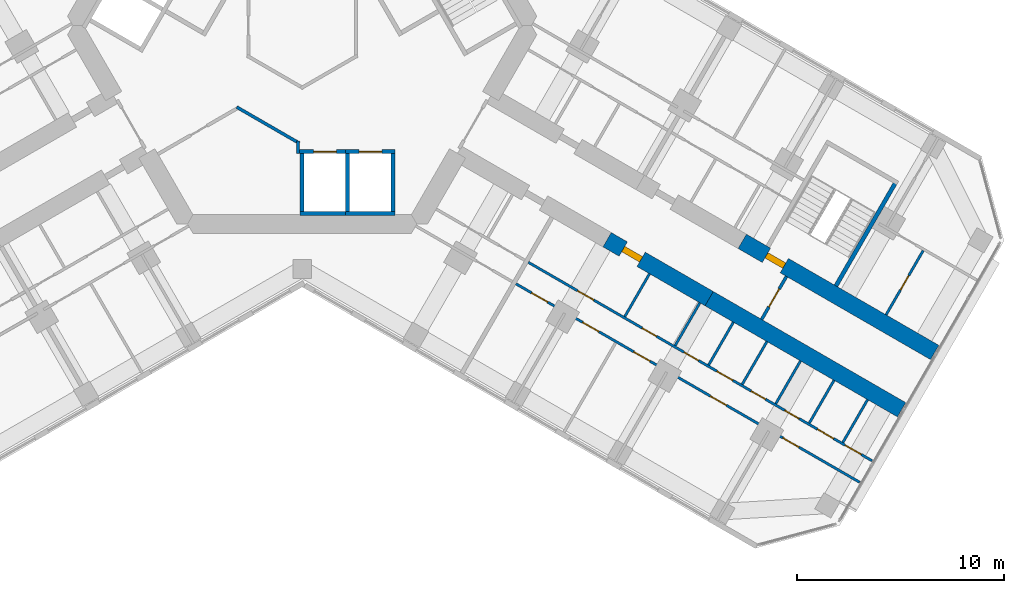
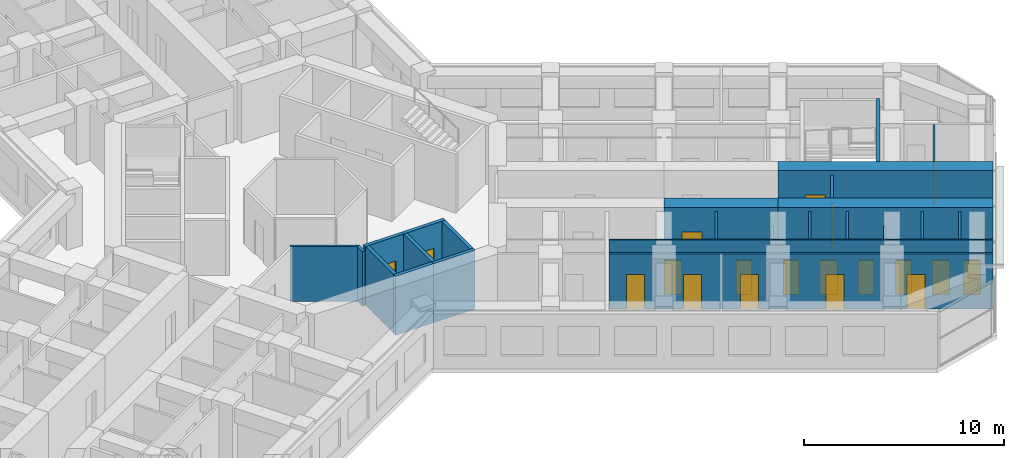
# One storey, part 14 of 19: 24 walls, 19 doors, 19 openings.
"""IFC4 building model written with IfcOpenShell, lengths in metres."""

from ifc_helpers import new_model, si_unit, direction, frame, frame_2d, origin, place, context, subcontext, project, spatial, rectangle, extrude, material, layer, layer_set, type_object, element, fill, save


model = new_model("IFC4")

# Units and contexts
model_context = context("Model", 3, precision=1e-05, world=origin(), true_north=direction((0.0, 1.0)))
body_context = subcontext(model_context, "Body", "Model", "MODEL_VIEW")
ifc_project = project(units=[si_unit("LENGTHUNIT", "METRE"), si_unit("AREAUNIT", "SQUARE_METRE"), si_unit("VOLUMEUNIT", "CUBIC_METRE"), si_unit("PLANEANGLEUNIT", "RADIAN"), si_unit("MASSUNIT", "GRAM", prefix="KILO")], contexts=[model_context])

# Site, building, storey
site_placement = place(None, origin())
site = spatial("IfcSite", under=ifc_project, at=site_placement, CompositionType="ELEMENT")
building_placement = place(site_placement, origin())
building = spatial("IfcBuilding", under=site, at=building_placement, Name="Kosmar Iwan School Tower", CompositionType="ELEMENT")
storey_placement = place(building_placement, frame((0.0, 0.0, 158.0)))
storey = spatial("IfcBuildingStorey", under=building, at=storey_placement, Name="L39", CompositionType="ELEMENT", Elevation=158.0)

# Walls
ifc_material_1 = material(Name="Gypsum board on steel studs, fire-rated", Category="steel")
ifc_layer_1 = layer(ifc_material_1, 0.14990234375)
ifc_layer_set_1 = layer_set([ifc_layer_1], Name="Core room partition 150")
wall_type_1 = type_object("IfcWallType", Name="Core room partition 150", PredefinedType="PARTITIONING", material=ifc_layer_set_1)
wall_1_placement = place(storey_placement, frame((-3.1650390625, -3.9462890625, 0.0), z_axis=(0.0, 0.0, 1.0), x_axis=(0.866040335699, -0.499974136273, 0.0)))
element("IfcWall", 1, at=wall_1_placement, inside=storey, type_object=wall_type_1, Name="Core room partition L39-CW6", PredefinedType="PARTITIONING", context=body_context, shape_type="SweptSolid", body=[
    extrude(rectangle(XDim=3.498779296875, YDim=0.14990234375, at=frame_2d((1.74951171875, 0.0))), origin(), (0.0, 0.0, 1.0), 3.35009765625),
])
wall_2_placement = place(storey_placement, frame((-0.199951171875, -5.5830078125, 0.0), z_axis=(0.0, 0.0, 1.0), x_axis=(0.0, -1.0, 0.0)))
element("IfcWall", 2, at=wall_2_placement, inside=storey, type_object=wall_type_1, Name="Core room partition L39-CW7", PredefinedType="PARTITIONING", context=body_context, shape_type="SweptSolid", body=[
    extrude(rectangle(XDim=0.616943359375, YDim=0.14990234375, at=frame_2d((0.30859375, 0.0))), origin(), (0.0, 0.0, 1.0), 3.35009765625),
])

# Wall, opening, door
ifc_material_2 = material(Name="Concrete C50/60", Category="concrete")
ifc_layer_2 = layer(ifc_material_2, 0.800048828125)
ifc_layer_set_2 = layer_set([ifc_layer_2], Name="Corridor buttress wall 800")
wall_type_2 = type_object("IfcWallType", Name="Corridor buttress wall 800", PredefinedType="SHEAR", material=ifc_layer_set_2)
wall_3_placement = place(storey_placement, frame((21.281494140625, -10.439453125, 0.0), z_axis=(0.0, 0.0, 1.0), x_axis=(0.866032345022, -0.499987977232, 0.0)))
wall_3 = element("IfcWall", 3, at=wall_3_placement, inside=storey, type_object=wall_type_2, Name="Corridor wall CL bay 3", PredefinedType="SHEAR", context=body_context, shape_type="SweptSolid", body=[
    extrude(rectangle(XDim=10.744873046875, YDim=0.800048828125, at=frame_2d((5.37255859375, 0.0))), origin(), (0.0, 0.0, 1.0), 3.60009765625),
])
opening_1_placement = place(wall_3_placement, frame((1.35009765625, 0.0, 0.0)))
opening_1 = element("IfcOpeningElement", 4, at=opening_1_placement, cuts=wall_3, Name="Opening D6", PredefinedType="OPENING", context=body_context, shape_type="SweptSolid", body=[
    extrude(rectangle(XDim=1.0, YDim=2.10009765625, at=frame_2d((0.5, 1.050048828125))), frame((0.0, 0.412109375, 0.0), z_axis=(0.0, -1.0, 0.0), x_axis=(1.0, 0.0, 0.0)), (0.0, 0.0, 1.0), 0.823974609375),
])
ifc_material_3 = material(Name="Steel fire door", Category="steel")
door_type_1 = type_object("IfcDoorType", Name="Stair door 1000x2100", OperationType="SINGLE_SWING_LEFT", PredefinedType="DOOR", material=ifc_material_3)
door_1_placement = place(opening_1_placement, origin())
door_1 = element("IfcDoor", 5, at=door_1_placement, inside=storey, type_object=door_type_1, Name="Stair WS3 door L39", OperationType="SINGLE_SWING_LEFT", OverallHeight=2.10009765625, OverallWidth=1.0, PredefinedType="DOOR", context=body_context, shape_type="SweptSolid", body=[
    extrude(rectangle(XDim=1.0, YDim=2.10009765625, at=frame_2d((0.5, 1.050048828125))), frame((0.0, 0.14990234375, 0.0), z_axis=(0.0, -1.0, 0.0), x_axis=(1.0, 0.0, 0.0)), (0.0, 0.0, 1.0), 0.300048828125),
])
fill(opening_1, door_1)

wall_4_placement = place(storey_placement, frame((14.7451171875, -10.360595703125, 0.0), z_axis=(0.0, 0.0, 1.0), x_axis=(0.866015111908, -0.50001782563, 0.0)))
wall_4 = element("IfcWall", 6, at=wall_4_placement, inside=storey, type_object=wall_type_2, Name="Corridor wall CR bay 2", PredefinedType="SHEAR", context=body_context, shape_type="SweptSolid", body=[
    extrude(rectangle(XDim=5.699951171875, YDim=0.800048828125, at=frame_2d((2.85009765625, 0.0))), origin(), (0.0, 0.0, 1.0), 3.60009765625),
])
opening_2_placement = place(wall_4_placement, frame((0.89990234375, 0.0, 0.0)))
opening_2 = element("IfcOpeningElement", 7, at=opening_2_placement, cuts=wall_4, Name="Opening D1", PredefinedType="OPENING", context=body_context, shape_type="SweptSolid", body=[
    extrude(rectangle(XDim=1.0, YDim=2.10009765625, at=frame_2d((0.5, 1.050048828125))), frame((0.0, 0.412109375, 0.0), z_axis=(0.0, -1.0, 0.0), x_axis=(1.0, 0.0, 0.0)), (0.0, 0.0, 1.0), 0.823974609375),
])
ifc_material_4 = material(Name="Timber fire door in steel frame", Category="steel")
door_type_2 = type_object("IfcDoorType", Name="Flat entrance door 1000x2100", OperationType="SINGLE_SWING_LEFT", PredefinedType="DOOR", material=ifc_material_4)
door_2_placement = place(opening_2_placement, origin())
door_2 = element("IfcDoor", 8, at=door_2_placement, inside=storey, type_object=door_type_2, Name="Flat L39-CR2 entrance door", OperationType="SINGLE_SWING_LEFT", OverallHeight=2.10009765625, OverallWidth=1.0, PredefinedType="DOOR", context=body_context, shape_type="SweptSolid", body=[
    extrude(rectangle(XDim=1.0, YDim=2.10009765625, at=frame_2d((0.5, 1.050048828125))), frame((0.0, 0.14990234375, 0.0), z_axis=(0.0, -1.0, 0.0), x_axis=(1.0, 0.0, 0.0)), (0.0, 0.0, 1.0), 0.300048828125),
])
fill(opening_2, door_2)

# Wall
wall_5_placement = place(storey_placement, frame((19.681396484375, -13.210693359375, 0.0), z_axis=(0.0, 0.0, 1.0), x_axis=(0.866028186671, -0.499995179869, 0.0)))
element("IfcWall", 9, at=wall_5_placement, inside=storey, type_object=wall_type_2, Name="Corridor wall CR bay 3", PredefinedType="SHEAR", context=body_context, shape_type="SweptSolid", body=[
    extrude(rectangle(XDim=10.7451171875, YDim=0.800048828125, at=frame_2d((5.37255859375, 0.0))), origin(), (0.0, 0.0, 1.0), 3.60009765625),
])

# Wall, opening, door
ifc_material_5 = material(Name="Gypsum board on steel studs, fire-rated", Category="steel")
ifc_layer_3 = layer(ifc_material_5, 0.14990234375)
ifc_layer_set_3 = layer_set([ifc_layer_3], Name="Corridor end wall 150")
wall_type_3 = type_object("IfcWallType", Name="Corridor end wall 150", PredefinedType="PARTITIONING", material=ifc_layer_set_3)
wall_6_placement = place(storey_placement, frame((22.2197265625, -14.21435546875, 0.0), z_axis=(0.0, 0.0, 1.0), x_axis=(0.499957262057, 0.866050077142, 0.0)))
wall_6 = element("IfcWall", 10, at=wall_6_placement, inside=storey, type_object=wall_type_3, Name="Partition L39-C-CE", PredefinedType="PARTITIONING", context=body_context, shape_type="SweptSolid", body=[
    extrude(rectangle(XDim=2.400146484375, YDim=0.14990234375, at=frame_2d((1.2001953125, 0.0))), origin(), (0.0, 0.0, 1.0), 3.35009765625),
])
opening_3_placement = place(wall_6_placement, frame((0.699951171875, 0.0, 0.0)))
opening_3 = element("IfcOpeningElement", 11, at=opening_3_placement, cuts=wall_6, Name="Opening D13", PredefinedType="OPENING", context=body_context, shape_type="SweptSolid", body=[
    extrude(rectangle(XDim=1.0, YDim=2.10009765625, at=frame_2d((0.5, 1.050048828125))), frame((0.0, 0.0869140625, 0.0), z_axis=(0.0, -1.0, 0.0), x_axis=(1.0, 0.0, 0.0)), (0.0, 0.0, 1.0), 0.173828125),
])
ifc_material_6 = material(Name="Timber fire door with vision panel", Category="wood")
door_type_3 = type_object("IfcDoorType", Name="Corridor end door 1000x2100", OperationType="SINGLE_SWING_LEFT", PredefinedType="DOOR", material=ifc_material_6)
door_3_placement = place(opening_3_placement, origin())
door_3 = element("IfcDoor", 12, at=door_3_placement, inside=storey, type_object=door_type_3, Name="Family study room door L39-C", OperationType="SINGLE_SWING_LEFT", OverallHeight=2.10009765625, OverallWidth=1.0, PredefinedType="DOOR", context=body_context, shape_type="SweptSolid", body=[
    extrude(rectangle(XDim=1.0, YDim=2.10009765625, at=frame_2d((0.5, 1.050048828125))), frame((0.0, 0.02490234375, 0.0), z_axis=(0.0, -1.0, 0.0), x_axis=(1.0, 0.0, 0.0)), (0.0, 0.0, 1.0), 0.050048828125),
])
fill(opening_3, door_3)

ifc_material_7 = material(Name="Gypsum board on steel studs", Category="steel")
ifc_layer_4 = layer(ifc_material_7, 0.1201171875)
ifc_layer_set_4 = layer_set([ifc_layer_4], Name="Dwelling partition 120")
wall_type_4 = type_object("IfcWallType", Name="Dwelling partition 120", PredefinedType="PARTITIONING", material=ifc_layer_set_4)
wall_7_placement = place(storey_placement, frame((28.236572265625, -13.992919921875, 0.0), z_axis=(0.0, 0.0, 1.0), x_axis=(0.499971658126, 0.866041766355, 0.0)))
wall_7 = element("IfcWall", 13, at=wall_7_placement, inside=storey, type_object=wall_type_4, Name="Partition L39-CL2-TY", PredefinedType="PARTITIONING", context=body_context, shape_type="SweptSolid", body=[
    extrude(rectangle(XDim=3.590087890625, YDim=0.1201171875, at=frame_2d((1.794921875, 0.0))), origin(), (0.0, 0.0, 1.0), 3.35009765625),
])
opening_4_placement = place(wall_7_placement, frame((1.39501953125, 0.0, 0.0)))
opening_4 = element("IfcOpeningElement", 14, at=opening_4_placement, cuts=wall_7, Name="Opening D3", PredefinedType="OPENING", context=body_context, shape_type="SweptSolid", body=[
    extrude(rectangle(XDim=0.800048828125, YDim=2.10009765625, at=frame_2d((0.39990234375, 1.050048828125))), frame((0.0, 0.072021484375, 0.0), z_axis=(0.0, -1.0, 0.0), x_axis=(1.0, 0.0, 0.0)), (0.0, 0.0, 1.0), 0.14404296875),
])
ifc_material_8 = material(Name="Timber door in timber frame", Category="wood")
door_type_4 = type_object("IfcDoorType", Name="Sanitary room door 800x2100", OperationType="SINGLE_SWING_LEFT", PredefinedType="DOOR", material=ifc_material_8)
door_4_placement = place(opening_4_placement, origin())
door_4 = element("IfcDoor", 15, at=door_4_placement, inside=storey, type_object=door_type_4, Name="Shower room door L39-CL2-T4", OperationType="SINGLE_SWING_RIGHT", OverallHeight=2.10009765625, OverallWidth=0.800048828125, PredefinedType="DOOR", context=body_context, shape_type="SweptSolid", body=[
    extrude(rectangle(XDim=0.800048828125, YDim=2.10009765625, at=frame_2d((0.39990234375, 1.050048828125))), frame((0.0, 0.02490234375, 0.0), z_axis=(0.0, -1.0, 0.0), x_axis=(1.0, 0.0, 0.0)), (0.0, 0.0, 1.0), 0.050048828125),
])
fill(opening_4, door_4)

# Wall, openings, doors
wall_8_placement = place(storey_placement, frame((10.9384765625, -11.453857421875, 0.0), z_axis=(0.0, 0.0, 1.0), x_axis=(0.866029698618, -0.499992561057, 0.0)))
wall_8 = element("IfcWall", 16, at=wall_8_placement, inside=storey, type_object=wall_type_4, Name="Partition L39-CR2-W1", PredefinedType="PARTITIONING", context=body_context, shape_type="SweptSolid", body=[
    extrude(rectangle(XDim=19.195068359375, YDim=0.1201171875, at=frame_2d((9.59765625, 0.0))), origin(), (0.0, 0.0, 1.0), 3.35009765625),
])
opening_5_placement = place(wall_8_placement, frame((2.75, 0.0, 0.0)))
opening_5 = element("IfcOpeningElement", 17, at=opening_5_placement, cuts=wall_8, Name="Opening D2", PredefinedType="OPENING", context=body_context, shape_type="SweptSolid", body=[
    extrude(rectangle(XDim=0.89990234375, YDim=2.10009765625, at=frame_2d((0.449951171875, 1.050048828125))), frame((0.0, 0.072021484375, 0.0), z_axis=(0.0, -1.0, 0.0), x_axis=(1.0, 0.0, 0.0)), (0.0, 0.0, 1.0), 0.14404296875),
])
opening_6_placement = place(wall_8_placement, frame((6.35498046875, 0.0, 0.0)))
opening_6 = element("IfcOpeningElement", 18, at=opening_6_placement, cuts=wall_8, Name="Opening D3", PredefinedType="OPENING", context=body_context, shape_type="SweptSolid", body=[
    extrude(rectangle(XDim=0.800048828125, YDim=2.10009765625, at=frame_2d((0.39990234375, 1.050048828125))), frame((0.0, 0.072021484375, 0.0), z_axis=(0.0, -1.0, 0.0), x_axis=(1.0, 0.0, 0.0)), (0.0, 0.0, 1.0), 0.14404296875),
])
opening_7_placement = place(wall_8_placement, frame((8.69677734375, 0.0, 0.0)))
opening_7 = element("IfcOpeningElement", 19, at=opening_7_placement, cuts=wall_8, Name="Opening D3", PredefinedType="OPENING", context=body_context, shape_type="SweptSolid", body=[
    extrude(rectangle(XDim=0.800048828125, YDim=2.10009765625, at=frame_2d((0.39990234375, 1.050048828125))), frame((0.0, 0.072021484375, 0.0), z_axis=(0.0, -1.0, 0.0), x_axis=(1.0, 0.0, 0.0)), (0.0, 0.0, 1.0), 0.14404296875),
])
opening_8_placement = place(wall_8_placement, frame((10.52001953125, 0.0, 0.0)))
opening_8 = element("IfcOpeningElement", 20, at=opening_8_placement, cuts=wall_8, Name="Opening D2", PredefinedType="OPENING", context=body_context, shape_type="SweptSolid", body=[
    extrude(rectangle(XDim=0.89990234375, YDim=2.10009765625, at=frame_2d((0.449951171875, 1.050048828125))), frame((0.0, 0.072021484375, 0.0), z_axis=(0.0, -1.0, 0.0), x_axis=(1.0, 0.0, 0.0)), (0.0, 0.0, 1.0), 0.14404296875),
])
opening_9_placement = place(wall_8_placement, frame((12.443359375, 0.0, 0.0)))
opening_9 = element("IfcOpeningElement", 21, at=opening_9_placement, cuts=wall_8, Name="Opening D3", PredefinedType="OPENING", context=body_context, shape_type="SweptSolid", body=[
    extrude(rectangle(XDim=0.800048828125, YDim=2.10009765625, at=frame_2d((0.39990234375, 1.050048828125))), frame((0.0, 0.072021484375, 0.0), z_axis=(0.0, -1.0, 0.0), x_axis=(1.0, 0.0, 0.0)), (0.0, 0.0, 1.0), 0.14404296875),
])
opening_10_placement = place(wall_8_placement, frame((14.316650390625, 0.0, 0.0)))
opening_10 = element("IfcOpeningElement", 22, at=opening_10_placement, cuts=wall_8, Name="Opening D3", PredefinedType="OPENING", context=body_context, shape_type="SweptSolid", body=[
    extrude(rectangle(XDim=0.800048828125, YDim=2.10009765625, at=frame_2d((0.39990234375, 1.050048828125))), frame((0.0, 0.072021484375, 0.0), z_axis=(0.0, -1.0, 0.0), x_axis=(1.0, 0.0, 0.0)), (0.0, 0.0, 1.0), 0.14404296875),
])
opening_11_placement = place(wall_8_placement, frame((16.139892578125, 0.0, 0.0)))
opening_11 = element("IfcOpeningElement", 23, at=opening_11_placement, cuts=wall_8, Name="Opening D2", PredefinedType="OPENING", context=body_context, shape_type="SweptSolid", body=[
    extrude(rectangle(XDim=0.89990234375, YDim=2.10009765625, at=frame_2d((0.449951171875, 1.050048828125))), frame((0.0, 0.072021484375, 0.0), z_axis=(0.0, -1.0, 0.0), x_axis=(1.0, 0.0, 0.0)), (0.0, 0.0, 1.0), 0.14404296875),
])
opening_12_placement = place(wall_8_placement, frame((17.686767578125, 0.0, 0.0)))
opening_12 = element("IfcOpeningElement", 24, at=opening_12_placement, cuts=wall_8, Name="Opening D2", PredefinedType="OPENING", context=body_context, shape_type="SweptSolid", body=[
    extrude(rectangle(XDim=0.89990234375, YDim=2.10009765625, at=frame_2d((0.449951171875, 1.050048828125))), frame((0.0, 0.072021484375, 0.0), z_axis=(0.0, -1.0, 0.0), x_axis=(1.0, 0.0, 0.0)), (0.0, 0.0, 1.0), 0.14404296875),
])
ifc_material_9 = material(Name="Timber door in timber frame", Category="wood")
door_type_5 = type_object("IfcDoorType", Name="Internal door 900x2100", OperationType="SINGLE_SWING_LEFT", PredefinedType="DOOR", material=ifc_material_9)
door_5_placement = place(opening_5_placement, origin())
door_5 = element("IfcDoor", 25, at=door_5_placement, inside=storey, type_object=door_type_5, Name="Entrance hall door L39-CR2-S1", OperationType="SINGLE_SWING_RIGHT", OverallHeight=2.10009765625, OverallWidth=0.89990234375, PredefinedType="DOOR", context=body_context, shape_type="SweptSolid", body=[
    extrude(rectangle(XDim=0.89990234375, YDim=2.10009765625, at=frame_2d((0.449951171875, 1.050048828125))), frame((0.0, 0.02490234375, 0.0), z_axis=(0.0, -1.0, 0.0), x_axis=(1.0, 0.0, 0.0)), (0.0, 0.0, 1.0), 0.050048828125),
])
fill(opening_5, door_5)
door_6_placement = place(opening_8_placement, origin())
door_6 = element("IfcDoor", 26, at=door_6_placement, inside=storey, type_object=door_type_5, Name="Pantry door L39-CR2-S4", OperationType="SINGLE_SWING_RIGHT", OverallHeight=2.10009765625, OverallWidth=0.89990234375, PredefinedType="DOOR", context=body_context, shape_type="SweptSolid", body=[
    extrude(rectangle(XDim=0.89990234375, YDim=2.10009765625, at=frame_2d((0.449951171875, 1.050048828125))), frame((0.0, 0.02490234375, 0.0), z_axis=(0.0, -1.0, 0.0), x_axis=(1.0, 0.0, 0.0)), (0.0, 0.0, 1.0), 0.050048828125),
])
fill(opening_8, door_6)
door_7_placement = place(opening_11_placement, origin())
door_7 = element("IfcDoor", 27, at=door_7_placement, inside=storey, type_object=door_type_5, Name="Utility room door L39-CR2-S7", OperationType="SINGLE_SWING_LEFT", OverallHeight=2.10009765625, OverallWidth=0.89990234375, PredefinedType="DOOR", context=body_context, shape_type="SweptSolid", body=[
    extrude(rectangle(XDim=0.89990234375, YDim=2.10009765625, at=frame_2d((0.449951171875, 1.050048828125))), frame((0.0, 0.02490234375, 0.0), z_axis=(0.0, -1.0, 0.0), x_axis=(1.0, 0.0, 0.0)), (0.0, 0.0, 1.0), 0.050048828125),
])
fill(opening_11, door_7)
door_8_placement = place(opening_12_placement, origin())
door_8 = element("IfcDoor", 28, at=door_8_placement, inside=storey, type_object=door_type_5, Name="Dressing room door L39-CR2-S8", OperationType="SINGLE_SWING_LEFT", OverallHeight=2.10009765625, OverallWidth=0.89990234375, PredefinedType="DOOR", context=body_context, shape_type="SweptSolid", body=[
    extrude(rectangle(XDim=0.89990234375, YDim=2.10009765625, at=frame_2d((0.449951171875, 1.050048828125))), frame((0.0, 0.02490234375, 0.0), z_axis=(0.0, -1.0, 0.0), x_axis=(1.0, 0.0, 0.0)), (0.0, 0.0, 1.0), 0.050048828125),
])
fill(opening_12, door_8)
door_9_placement = place(opening_6_placement, origin())
door_9 = element("IfcDoor", 29, at=door_9_placement, inside=storey, type_object=door_type_4, Name="Bathroom door L39-CR2-S2", OperationType="SINGLE_SWING_RIGHT", OverallHeight=2.10009765625, OverallWidth=0.800048828125, PredefinedType="DOOR", context=body_context, shape_type="SweptSolid", body=[
    extrude(rectangle(XDim=0.800048828125, YDim=2.10009765625, at=frame_2d((0.39990234375, 1.050048828125))), frame((0.0, 0.02490234375, 0.0), z_axis=(0.0, -1.0, 0.0), x_axis=(1.0, 0.0, 0.0)), (0.0, 0.0, 1.0), 0.050048828125),
])
fill(opening_6, door_9)
door_10_placement = place(opening_7_placement, origin())
door_10 = element("IfcDoor", 30, at=door_10_placement, inside=storey, type_object=door_type_4, Name="Shower room door L39-CR2-S3", OperationType="SINGLE_SWING_LEFT", OverallHeight=2.10009765625, OverallWidth=0.800048828125, PredefinedType="DOOR", context=body_context, shape_type="SweptSolid", body=[
    extrude(rectangle(XDim=0.800048828125, YDim=2.10009765625, at=frame_2d((0.39990234375, 1.050048828125))), frame((0.0, 0.02490234375, 0.0), z_axis=(0.0, -1.0, 0.0), x_axis=(1.0, 0.0, 0.0)), (0.0, 0.0, 1.0), 0.050048828125),
])
fill(opening_7, door_10)
door_11_placement = place(opening_9_placement, origin())
door_11 = element("IfcDoor", 31, at=door_11_placement, inside=storey, type_object=door_type_4, Name="WC door L39-CR2-S5", OperationType="SINGLE_SWING_LEFT", OverallHeight=2.10009765625, OverallWidth=0.800048828125, PredefinedType="DOOR", context=body_context, shape_type="SweptSolid", body=[
    extrude(rectangle(XDim=0.800048828125, YDim=2.10009765625, at=frame_2d((0.39990234375, 1.050048828125))), frame((0.0, 0.02490234375, 0.0), z_axis=(0.0, -1.0, 0.0), x_axis=(1.0, 0.0, 0.0)), (0.0, 0.0, 1.0), 0.050048828125),
])
fill(opening_9, door_11)
door_12_placement = place(opening_10_placement, origin())
door_12 = element("IfcDoor", 32, at=door_12_placement, inside=storey, type_object=door_type_4, Name="Store door L39-CR2-S6", OperationType="SINGLE_SWING_RIGHT", OverallHeight=2.10009765625, OverallWidth=0.800048828125, PredefinedType="DOOR", context=body_context, shape_type="SweptSolid", body=[
    extrude(rectangle(XDim=0.800048828125, YDim=2.10009765625, at=frame_2d((0.39990234375, 1.050048828125))), frame((0.0, 0.02490234375, 0.0), z_axis=(0.0, -1.0, 0.0), x_axis=(1.0, 0.0, 0.0)), (0.0, 0.0, 1.0), 0.050048828125),
])
fill(opening_10, door_12)

wall_9_placement = place(storey_placement, frame((10.338623046875, -12.492919921875, 0.0), z_axis=(0.0, 0.0, 1.0), x_axis=(0.866021011428, -0.500007607708, 0.0)))
wall_9 = element("IfcWall", 33, at=wall_9_placement, inside=storey, type_object=wall_type_4, Name="Partition L39-CR2-W2", PredefinedType="PARTITIONING", context=body_context, shape_type="SweptSolid", body=[
    extrude(rectangle(XDim=19.195068359375, YDim=0.1201171875, at=frame_2d((9.59765625, 0.0))), origin(), (0.0, 0.0, 1.0), 3.35009765625),
])
opening_13_placement = place(wall_9_placement, frame((0.875, 0.0, 0.0)))
opening_13 = element("IfcOpeningElement", 34, at=opening_13_placement, cuts=wall_9, Name="Opening D2", PredefinedType="OPENING", context=body_context, shape_type="SweptSolid", body=[
    extrude(rectangle(XDim=0.89990234375, YDim=2.10009765625, at=frame_2d((0.449951171875, 1.050048828125))), frame((0.0, 0.072021484375, 0.0), z_axis=(0.0, -1.0, 0.0), x_axis=(1.0, 0.0, 0.0)), (0.0, 0.0, 1.0), 0.14404296875),
])
opening_14_placement = place(wall_9_placement, frame((3.72509765625, 0.0, 0.0)))
opening_14 = element("IfcOpeningElement", 35, at=opening_14_placement, cuts=wall_9, Name="Opening D2", PredefinedType="OPENING", context=body_context, shape_type="SweptSolid", body=[
    extrude(rectangle(XDim=0.89990234375, YDim=2.10009765625, at=frame_2d((0.449951171875, 1.050048828125))), frame((0.0, 0.072021484375, 0.0), z_axis=(0.0, -1.0, 0.0), x_axis=(1.0, 0.0, 0.0)), (0.0, 0.0, 1.0), 0.14404296875),
])
opening_15_placement = place(wall_9_placement, frame((6.574951171875, 0.0, 0.0)))
opening_15 = element("IfcOpeningElement", 36, at=opening_15_placement, cuts=wall_9, Name="Opening D2", PredefinedType="OPENING", context=body_context, shape_type="SweptSolid", body=[
    extrude(rectangle(XDim=0.89990234375, YDim=2.10009765625, at=frame_2d((0.449951171875, 1.050048828125))), frame((0.0, 0.072021484375, 0.0), z_axis=(0.0, -1.0, 0.0), x_axis=(1.0, 0.0, 0.0)), (0.0, 0.0, 1.0), 0.14404296875),
])
opening_16_placement = place(wall_9_placement, frame((10.85009765625, 0.0, 0.0)))
opening_16 = element("IfcOpeningElement", 37, at=opening_16_placement, cuts=wall_9, Name="Opening D2", PredefinedType="OPENING", context=body_context, shape_type="SweptSolid", body=[
    extrude(rectangle(XDim=0.89990234375, YDim=2.10009765625, at=frame_2d((0.449951171875, 1.050048828125))), frame((0.0, 0.072021484375, 0.0), z_axis=(0.0, -1.0, 0.0), x_axis=(1.0, 0.0, 0.0)), (0.0, 0.0, 1.0), 0.14404296875),
])
opening_17_placement = place(wall_9_placement, frame((14.89990234375, 0.0, 0.0)))
opening_17 = element("IfcOpeningElement", 38, at=opening_17_placement, cuts=wall_9, Name="Opening D2", PredefinedType="OPENING", context=body_context, shape_type="SweptSolid", body=[
    extrude(rectangle(XDim=0.89990234375, YDim=2.10009765625, at=frame_2d((0.449951171875, 1.050048828125))), frame((0.0, 0.072021484375, 0.0), z_axis=(0.0, -1.0, 0.0), x_axis=(1.0, 0.0, 0.0)), (0.0, 0.0, 1.0), 0.14404296875),
])
door_13_placement = place(opening_13_placement, origin())
door_13 = element("IfcDoor", 39, at=door_13_placement, inside=storey, type_object=door_type_5, Name="Bedroom 1 door L39-CR2-F1", OperationType="SINGLE_SWING_LEFT", OverallHeight=2.10009765625, OverallWidth=0.89990234375, PredefinedType="DOOR", context=body_context, shape_type="SweptSolid", body=[
    extrude(rectangle(XDim=0.89990234375, YDim=2.10009765625, at=frame_2d((0.449951171875, 1.050048828125))), frame((0.0, 0.02490234375, 0.0), z_axis=(0.0, -1.0, 0.0), x_axis=(1.0, 0.0, 0.0)), (0.0, 0.0, 1.0), 0.050048828125),
])
fill(opening_13, door_13)
door_14_placement = place(opening_14_placement, origin())
door_14 = element("IfcDoor", 40, at=door_14_placement, inside=storey, type_object=door_type_5, Name="Bedroom 2 door L39-CR2-F2", OperationType="SINGLE_SWING_LEFT", OverallHeight=2.10009765625, OverallWidth=0.89990234375, PredefinedType="DOOR", context=body_context, shape_type="SweptSolid", body=[
    extrude(rectangle(XDim=0.89990234375, YDim=2.10009765625, at=frame_2d((0.449951171875, 1.050048828125))), frame((0.0, 0.02490234375, 0.0), z_axis=(0.0, -1.0, 0.0), x_axis=(1.0, 0.0, 0.0)), (0.0, 0.0, 1.0), 0.050048828125),
])
fill(opening_14, door_14)
door_15_placement = place(opening_15_placement, origin())
door_15 = element("IfcDoor", 41, at=door_15_placement, inside=storey, type_object=door_type_5, Name="Bedroom 3 door L39-CR2-F3", OperationType="SINGLE_SWING_LEFT", OverallHeight=2.10009765625, OverallWidth=0.89990234375, PredefinedType="DOOR", context=body_context, shape_type="SweptSolid", body=[
    extrude(rectangle(XDim=0.89990234375, YDim=2.10009765625, at=frame_2d((0.449951171875, 1.050048828125))), frame((0.0, 0.02490234375, 0.0), z_axis=(0.0, -1.0, 0.0), x_axis=(1.0, 0.0, 0.0)), (0.0, 0.0, 1.0), 0.050048828125),
])
fill(opening_15, door_15)
door_16_placement = place(opening_16_placement, origin())
door_16 = element("IfcDoor", 42, at=door_16_placement, inside=storey, type_object=door_type_5, Name="Living room door L39-CR2-F4", OperationType="SINGLE_SWING_RIGHT", OverallHeight=2.10009765625, OverallWidth=0.89990234375, PredefinedType="DOOR", context=body_context, shape_type="SweptSolid", body=[
    extrude(rectangle(XDim=0.89990234375, YDim=2.10009765625, at=frame_2d((0.449951171875, 1.050048828125))), frame((0.0, 0.02490234375, 0.0), z_axis=(0.0, -1.0, 0.0), x_axis=(1.0, 0.0, 0.0)), (0.0, 0.0, 1.0), 0.050048828125),
])
fill(opening_16, door_16)
door_17_placement = place(opening_17_placement, origin())
door_17 = element("IfcDoor", 43, at=door_17_placement, inside=storey, type_object=door_type_5, Name="Kitchen and dining room door L39-CR2-F5", OperationType="SINGLE_SWING_RIGHT", OverallHeight=2.10009765625, OverallWidth=0.89990234375, PredefinedType="DOOR", context=body_context, shape_type="SweptSolid", body=[
    extrude(rectangle(XDim=0.89990234375, YDim=2.10009765625, at=frame_2d((0.449951171875, 1.050048828125))), frame((0.0, 0.02490234375, 0.0), z_axis=(0.0, -1.0, 0.0), x_axis=(1.0, 0.0, 0.0)), (0.0, 0.0, 1.0), 0.050048828125),
])
fill(opening_17, door_17)

# Walls
wall_10_placement = place(storey_placement, frame((16.796875, -12.007080078125, 0.0), z_axis=(0.0, 0.0, 1.0), x_axis=(-0.500017192868, -0.86601547725, 0.0)))
element("IfcWall", 44, at=wall_10_placement, inside=storey, type_object=wall_type_4, Name="Partition L39-CR2-Y1", PredefinedType="PARTITIONING", context=body_context, shape_type="SweptSolid", body=[
    extrude(rectangle(XDim=2.39013671875, YDim=0.1201171875, at=frame_2d((1.195068359375, 0.0))), origin(), (0.0, 0.0, 1.0), 3.35009765625),
])
wall_11_placement = place(storey_placement, frame((19.23046875, -13.412109375, 0.0), z_axis=(0.0, 0.0, 1.0), x_axis=(-0.500017192868, -0.86601547725, 0.0)))
element("IfcWall", 45, at=wall_11_placement, inside=storey, type_object=wall_type_4, Name="Partition L39-CR2-Y2", PredefinedType="PARTITIONING", context=body_context, shape_type="SweptSolid", body=[
    extrude(rectangle(XDim=2.39013671875, YDim=0.1201171875, at=frame_2d((1.195068359375, 0.0))), origin(), (0.0, 0.0, 1.0), 2.449951171875),
])
for number, where, z_axis, x_axis, name in (
    (46, (20.852783203125, -14.3486328125, 0.0), (0.0, 0.0, 1.0), (-0.500017192868, -0.86601547725, 0.0), "Partition L39-CR2-Y3"),
    (47, (22.47509765625, -15.285400390625, 0.0), (0.0, 0.0, 1.0), (-0.500017192868, -0.86601547725, 0.0), "Partition L39-CR2-Y4"),
):
    element("IfcWall", number, at=place(storey_placement, frame(where, z_axis=z_axis, x_axis=x_axis)), inside=storey, type_object=wall_type_4, Name=name, PredefinedType="PARTITIONING", context=body_context, shape_type="SweptSolid", body=[
        extrude(rectangle(XDim=2.39013671875, YDim=0.1201171875, at=frame_2d((1.195068359375, 0.0))), origin(), (0.0, 0.0, 1.0), 3.35009765625),
    ])
wall_12_placement = place(storey_placement, frame((24.097412109375, -16.221923828125, 0.0), z_axis=(0.0, 0.0, 1.0), x_axis=(-0.500017192868, -0.86601547725, 0.0)))
element("IfcWall", 48, at=wall_12_placement, inside=storey, type_object=wall_type_4, Name="Partition L39-CR2-Y5", PredefinedType="PARTITIONING", context=body_context, shape_type="SweptSolid", body=[
    extrude(rectangle(XDim=2.39013671875, YDim=0.1201171875, at=frame_2d((1.195068359375, 0.0))), origin(), (0.0, 0.0, 1.0), 2.449951171875),
])
wall_13_placement = place(storey_placement, frame((25.7197265625, -17.15869140625, 0.0), z_axis=(0.0, 0.0, 1.0), x_axis=(-0.500017192868, -0.86601547725, 0.0)))
element("IfcWall", 49, at=wall_13_placement, inside=storey, type_object=wall_type_4, Name="Partition L39-CR2-Y6", PredefinedType="PARTITIONING", context=body_context, shape_type="SweptSolid", body=[
    extrude(rectangle(XDim=2.39013671875, YDim=0.1201171875, at=frame_2d((1.195068359375, 0.0))), origin(), (0.0, 0.0, 1.0), 3.35009765625),
])
wall_14_placement = place(storey_placement, frame((27.342041015625, -18.095458984375, 0.0), z_axis=(0.0, 0.0, 1.0), x_axis=(-0.499940577336, -0.866059708757, 0.0)))
element("IfcWall", 50, at=wall_14_placement, inside=storey, type_object=wall_type_4, Name="Partition L39-CR2-Y7", PredefinedType="PARTITIONING", context=body_context, shape_type="SweptSolid", body=[
    extrude(rectangle(XDim=2.389892578125, YDim=0.1201171875, at=frame_2d((1.19482421875, 0.0))), origin(), (0.0, 0.0, 1.0), 3.35009765625),
])
ifc_material_10 = material(Name="Concrete C35/45", Category="concrete")
ifc_layer_5 = layer(ifc_material_10, 0.199951171875)
ifc_layer_set_5 = layer_set([ifc_layer_5], Name="Escape stair wall 200")
wall_type_5 = type_object("IfcWallType", Name="Escape stair wall 200", PredefinedType="SHEAR", material=ifc_layer_set_5)
wall_15_placement = place(storey_placement, frame((25.8115234375, -12.593017578125, 0.0), z_axis=(0.0, 0.0, 1.0), x_axis=(0.500019744199, 0.866014004166, 0.0)))
element("IfcWall", 51, at=wall_15_placement, inside=storey, type_object=wall_type_5, Name="Stair WS3 wall", PredefinedType="SHEAR", context=body_context, shape_type="SweptSolid", body=[
    extrude(rectangle(XDim=5.900146484375, YDim=0.199951171875, at=frame_2d((2.9501953125, 0.0))), origin(), (0.0, 0.0, 1.0), 3.330078125),
])

# Wall, opening, door
ifc_material_11 = material(Name="Concrete C50/60", Category="concrete")
ifc_layer_6 = layer(ifc_material_11, 0.199951171875)
ifc_layer_set_6 = layer_set([ifc_layer_6], Name="Lift shaft wall 200")
wall_type_6 = type_object("IfcWallType", Name="Lift shaft wall 200", PredefinedType="SHEAR", material=ifc_layer_set_6)
wall_16_placement = place(storey_placement, frame((-0.125, -6.10009765625, 0.0), z_axis=(0.0, 0.0, 1.0), x_axis=(1.0, 0.0, 0.0)))
wall_16 = element("IfcWall", 52, at=wall_16_placement, inside=storey, type_object=wall_type_6, Name="Lift and stair front wall BC", PredefinedType="SHEAR", context=body_context, shape_type="SweptSolid", body=[
    extrude(rectangle(XDim=2.22509765625, YDim=0.199951171875, at=frame_2d((1.112548828125, 0.0))), origin(), (0.0, 0.0, 1.0), 3.60009765625),
])
opening_18_placement = place(wall_16_placement, frame((0.675048828125, 0.0, 0.0)))
opening_18 = element("IfcOpeningElement", 53, at=opening_18_placement, cuts=wall_16, Name="Opening LD1", PredefinedType="OPENING", context=body_context, shape_type="SweptSolid", body=[
    extrude(rectangle(XDim=1.10009765625, YDim=2.10009765625, at=frame_2d((0.550048828125, 1.050048828125))), frame((0.0, 0.112060546875, 0.0), z_axis=(0.0, -1.0, 0.0), x_axis=(1.0, 0.0, 0.0)), (0.0, 0.0, 1.0), 0.223876953125),
])
ifc_material_12 = material(Name="Stainless steel sliding lift door", Category="steel")
door_type_6 = type_object("IfcDoorType", Name="Lift landing door 1100x2100", OperationType="SLIDING_TO_LEFT", PredefinedType="DOOR", material=ifc_material_12)
door_18_placement = place(opening_18_placement, origin())
door_18 = element("IfcDoor", 54, at=door_18_placement, inside=storey, type_object=door_type_6, Name="Lift PL3 landing door L39", OperationType="SLIDING_TO_LEFT", OverallHeight=2.10009765625, OverallWidth=1.10009765625, PredefinedType="DOOR", context=body_context, shape_type="SweptSolid", body=[
    extrude(rectangle(XDim=1.10009765625, YDim=2.10009765625, at=frame_2d((0.550048828125, 1.050048828125))), frame((0.0, 0.02490234375, 0.0), z_axis=(0.0, -1.0, 0.0), x_axis=(1.0, 0.0, 0.0)), (0.0, 0.0, 1.0), 0.050048828125),
])
fill(opening_18, door_18)

# Wall
wall_17_placement = place(storey_placement, frame((-0.10009765625, -9.10009765625, 0.0), z_axis=(0.0, 0.0, 1.0), x_axis=(1.0, 0.0, 0.0)))
element("IfcWall", 55, at=wall_17_placement, inside=storey, type_object=wall_type_6, Name="Lift and stair back wall BC", PredefinedType="SHEAR", context=body_context, shape_type="SweptSolid", body=[
    extrude(rectangle(XDim=2.2001953125, YDim=0.199951171875, at=frame_2d((1.10009765625, 0.0))), origin(), (0.0, 0.0, 1.0), 3.60009765625),
])

# Wall, opening, door
wall_18_placement = place(storey_placement, frame((2.10009765625, -6.10009765625, 0.0), z_axis=(0.0, 0.0, 1.0), x_axis=(1.0, 0.0, 0.0)))
wall_18 = element("IfcWall", 56, at=wall_18_placement, inside=storey, type_object=wall_type_6, Name="Lift and stair front wall BC", PredefinedType="SHEAR", context=body_context, shape_type="SweptSolid", body=[
    extrude(rectangle(XDim=2.39990234375, YDim=0.199951171875, at=frame_2d((1.199951171875, 0.0))), origin(), (0.0, 0.0, 1.0), 3.60009765625),
])
opening_19_placement = place(wall_18_placement, frame((0.64990234375, 0.0, 0.0)))
opening_19 = element("IfcOpeningElement", 57, at=opening_19_placement, cuts=wall_18, Name="Opening LD1", PredefinedType="OPENING", context=body_context, shape_type="SweptSolid", body=[
    extrude(rectangle(XDim=1.10009765625, YDim=2.10009765625, at=frame_2d((0.550048828125, 1.050048828125))), frame((0.0, 0.112060546875, 0.0), z_axis=(0.0, -1.0, 0.0), x_axis=(1.0, 0.0, 0.0)), (0.0, 0.0, 1.0), 0.223876953125),
])
door_19_placement = place(opening_19_placement, origin())
door_19 = element("IfcDoor", 58, at=door_19_placement, inside=storey, type_object=door_type_6, Name="Lift PL4 landing door L39", OperationType="SLIDING_TO_LEFT", OverallHeight=2.10009765625, OverallWidth=1.10009765625, PredefinedType="DOOR", context=body_context, shape_type="SweptSolid", body=[
    extrude(rectangle(XDim=1.10009765625, YDim=2.10009765625, at=frame_2d((0.550048828125, 1.050048828125))), frame((0.0, 0.02490234375, 0.0), z_axis=(0.0, -1.0, 0.0), x_axis=(1.0, 0.0, 0.0)), (0.0, 0.0, 1.0), 0.050048828125),
])
fill(opening_19, door_19)

# Walls
wall_19_placement = place(storey_placement, frame((2.10009765625, -9.10009765625, 0.0), z_axis=(0.0, 0.0, 1.0), x_axis=(1.0, 0.0, 0.0)))
element("IfcWall", 59, at=wall_19_placement, inside=storey, type_object=wall_type_6, Name="Lift and stair back wall BC", PredefinedType="SHEAR", context=body_context, shape_type="SweptSolid", body=[
    extrude(rectangle(XDim=2.39990234375, YDim=0.199951171875, at=frame_2d((1.199951171875, 0.0))), origin(), (0.0, 0.0, 1.0), 3.60009765625),
])
for number, where, z_axis, x_axis, name in (
    (60, (0.0, -6.199951171875, 0.0), (0.0, 0.0, 1.0), (0.0, -1.0, 0.0), "Lift shaft wall BC 0"),
    (61, (2.199951171875, -6.199951171875, 0.0), (0.0, 0.0, 1.0), (0.0, -1.0, 0.0), "Lift shaft wall BC 1"),
    (62, (4.39990234375, -6.199951171875, 0.0), (0.0, 0.0, 1.0), (0.0, -1.0, 0.0), "Lift shaft wall BC 2"),
):
    element("IfcWall", number, at=place(storey_placement, frame(where, z_axis=z_axis, x_axis=x_axis)), inside=storey, type_object=wall_type_6, Name=name, PredefinedType="SHEAR", context=body_context, shape_type="SweptSolid", body=[
        extrude(rectangle(XDim=2.800048828125, YDim=0.199951171875, at=frame_2d((1.39990234375, 0.0))), origin(), (0.0, 0.0, 1.0), 3.60009765625),
    ])

save(model, "model.ifc")
